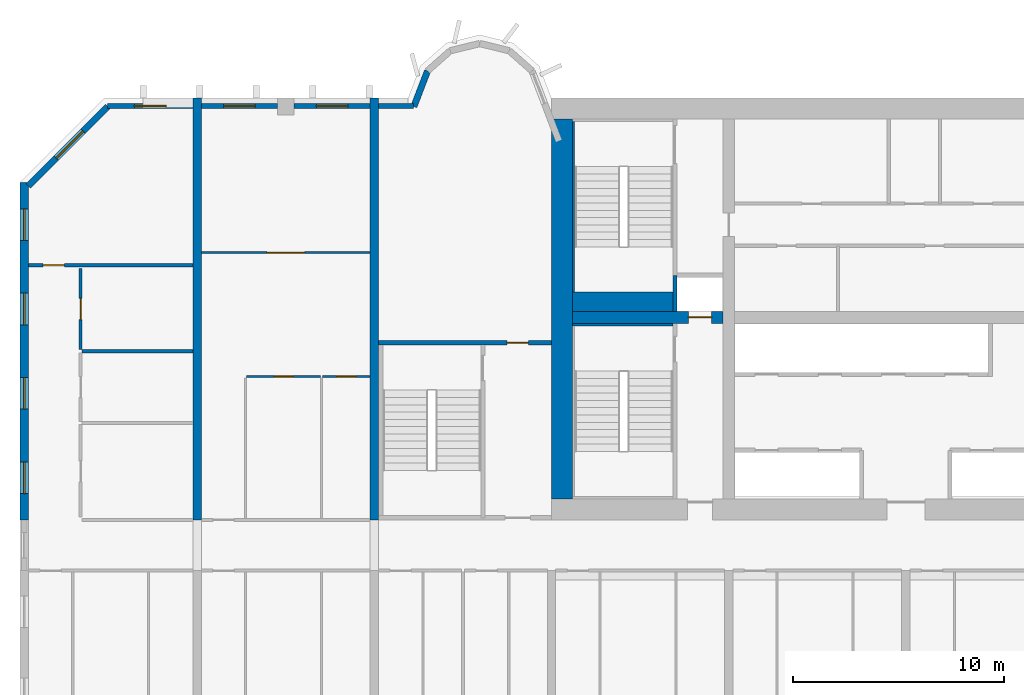
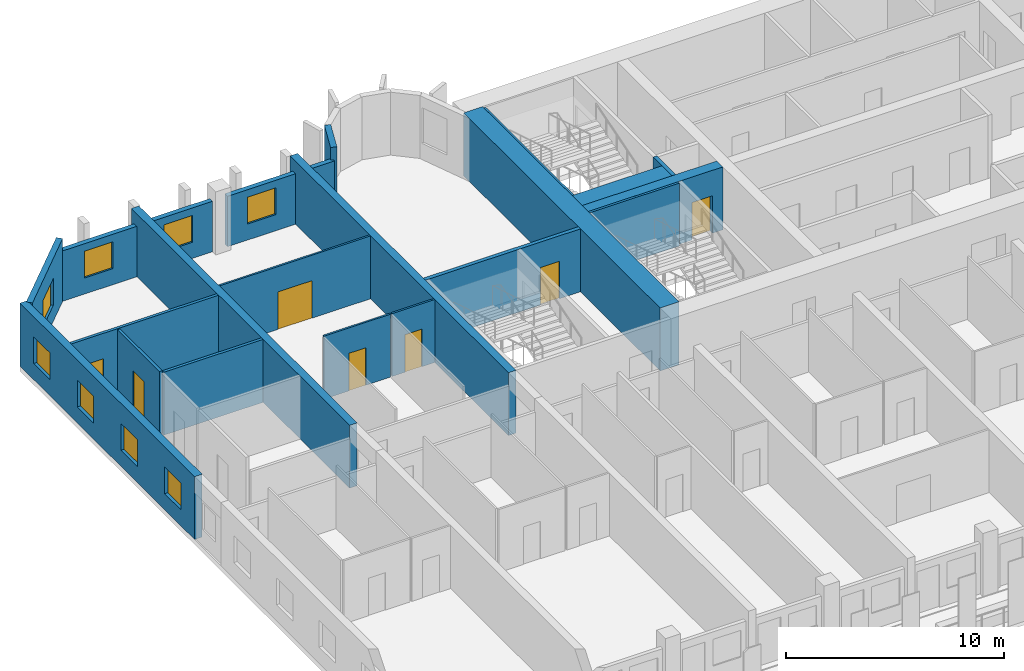
# One storey, part 6 of 15: 22 walls, 8 windows, 7 doors, 15 openings.
"""IFC4 building model written with IfcOpenShell, lengths in metres."""

from ifc_helpers import new_model, si_unit, direction, frame, frame_2d, origin, place, context, subcontext, project, spatial, rectangle, extrude, source, transform, mapped, material, layer, layer_set, type_object, element, fill, save


model = new_model("IFC4")

# Units and contexts
model_context = context("Model", 3, precision=1e-05, world=origin(), true_north=direction((0.0, 1.0)))
body_context = subcontext(model_context, "Body", "Model", "MODEL_VIEW")
ifc_project = project(units=[si_unit("LENGTHUNIT", "METRE"), si_unit("AREAUNIT", "SQUARE_METRE"), si_unit("VOLUMEUNIT", "CUBIC_METRE"), si_unit("PLANEANGLEUNIT", "RADIAN"), si_unit("MASSUNIT", "GRAM", prefix="KILO")], contexts=[model_context])

# Site, building, storey
site_placement = place(None, origin())
site = spatial("IfcSite", under=ifc_project, at=site_placement, CompositionType="ELEMENT")
building_placement = place(site_placement, origin())
building = spatial("IfcBuilding", under=site, at=building_placement, Name="Vanashikhar Sky Hotel", CompositionType="ELEMENT")
storey_placement = place(building_placement, frame((0.0, 0.0, 62.0)))
storey = spatial("IfcBuildingStorey", under=building, at=storey_placement, Name="L14", CompositionType="ELEMENT", Elevation=62.0)

# Wall
ifc_material_1 = material(Name="Concrete M80", Category="concrete")
ifc_layer_1 = layer(ifc_material_1, 1.0)
ifc_layer_set_1 = layer_set([ifc_layer_1], Name="RC core shell wall 1000 Concrete M80")
wall_type_1 = type_object("IfcWallType", Name="RC core shell wall 1000 Concrete M80", PredefinedType="SHEAR", material=ifc_layer_set_1)
shared_shape_1 = source(origin(), body_context, "Body", "SweptSolid", [
    extrude(rectangle(XDim=18.0, YDim=1.0, at=frame_2d((9.0, 0.0))), origin(), (0.0, 0.0, 1.0), 3.52001953125),
])
wall_1_placement = place(storey_placement, frame((25.699951171875, 23.0, 0.0), z_axis=(0.0, 0.0, 1.0), x_axis=(0.0, 1.0, 0.0)))
element("IfcWall", 1, at=wall_1_placement, inside=storey, type_object=wall_type_1, Name="KW-L14-KW", PredefinedType="SHEAR", context=body_context, shape_type="MappedRepresentation", body=[
    mapped(shared_shape_1, transform((0.0, 0.0, 0.0), scale=1.0)),
])

# Wall, opening, door
ifc_layer_2 = layer(ifc_material_1, 0.550048828125)
ifc_layer_set_2 = layer_set([ifc_layer_2], Name="RC core inner wall 550 Concrete M80")
wall_type_2 = type_object("IfcWallType", Name="RC core inner wall 550 Concrete M80", PredefinedType="SHEAR", material=ifc_layer_set_2)
shared_shape_2 = source(origin(), body_context, "Body", "SweptSolid", [
    extrude(rectangle(XDim=7.125, YDim=0.550048828125, at=frame_2d((3.5625, 0.0))), origin(), (0.0, 0.0, 1.0), 3.52001953125),
])
wall_2_placement = place(storey_placement, frame((26.199951171875, 31.60009765625, 0.0), z_axis=(0.0, 0.0, 1.0), x_axis=(1.0, 0.0, 0.0)))
wall_2 = element("IfcWall", 2, at=wall_2_placement, inside=storey, type_object=wall_type_2, Name="KW-L14-KY1", PredefinedType="SHEAR", context=body_context, shape_type="MappedRepresentation", body=[
    mapped(shared_shape_2, transform((0.0, 0.0, 0.0), scale=1.0)),
])
shared_shape_3 = source(origin(), body_context, "Body", "SweptSolid", [
    extrude(rectangle(XDim=1.10009765625, YDim=2.10009765625, at=frame_2d((0.550048828125, 1.050048828125))), frame((0.0, 0.28515625, 0.0), z_axis=(0.0, -1.0, 0.0), x_axis=(1.0, 0.0, 0.0)), (0.0, 0.0, 1.0), 0.570068359375),
])
opening_1_placement = place(wall_2_placement, frame((5.488037109375, 0.0, 0.0)))
opening_1 = element("IfcOpeningElement", 3, at=opening_1_placement, cuts=wall_2, Name="Opening LD", PredefinedType="OPENING", context=body_context, shape_type="MappedRepresentation", body=[
    mapped(shared_shape_3, transform((0.0, 0.0, 0.0), scale=1.0)),
])
ifc_material_2 = material(Name="Stainless steel", Category="steel")
door_type_1 = type_object("IfcDoorType", Name="Lift landing door 1100", OperationType="NOTDEFINED", PredefinedType="DOOR", material=ifc_material_2)
shared_shape_4 = source(origin(), body_context, "Body", "SweptSolid", [
    extrude(rectangle(XDim=1.10009765625, YDim=2.10009765625, at=frame_2d((0.550048828125, 1.050048828125))), frame((0.0, 0.02490234375, 0.0), z_axis=(0.0, -1.0, 0.0), x_axis=(1.0, 0.0, 0.0)), (0.0, 0.0, 1.0), 0.050048828125),
])
door_1_placement = place(opening_1_placement, origin())
door_1 = element("IfcDoor", 4, at=door_1_placement, inside=storey, type_object=door_type_1, Name="Lift landing door 1100", OperationType="SLIDING_TO_RIGHT", OverallHeight=2.10009765625, OverallWidth=1.10009765625, PredefinedType="DOOR", context=body_context, shape_type="MappedRepresentation", body=[
    mapped(shared_shape_4, transform((0.0, 0.0, 0.0), scale=1.0)),
])
fill(opening_1, door_1)

# Wall, openings, windows
ifc_layer_3 = layer(ifc_material_1, 0.39990234375)
ifc_layer_set_3 = layer_set([ifc_layer_3], Name="RC shear wall 400 Concrete M80")
wall_type_3 = type_object("IfcWallType", Name="RC shear wall 400 Concrete M80", PredefinedType="SHEAR", material=ifc_layer_set_3)
shared_shape_5 = source(origin(), body_context, "Body", "SweptSolid", [
    extrude(rectangle(XDim=16.0, YDim=0.39990234375, at=frame_2d((8.0, 0.0))), origin(), (0.0, 0.0, 1.0), 3.52001953125),
])
wall_3_placement = place(storey_placement, frame((0.199951171875, 22.0, 0.0), z_axis=(0.0, 0.0, 1.0), x_axis=(0.0, 1.0, 0.0)))
wall_3 = element("IfcWall", 5, at=wall_3_placement, inside=storey, type_object=wall_type_3, Name="CW-L14-XW01-2", PredefinedType="SHEAR", context=body_context, shape_type="MappedRepresentation", body=[
    mapped(shared_shape_5, transform((0.0, 0.0, 0.0), scale=1.0)),
])
shared_shape_6 = source(origin(), body_context, "Body", "SweptSolid", [
    extrude(rectangle(XDim=1.5, YDim=1.5, at=frame_2d((0.75, 0.75))), frame((0.0, 0.2099609375, 0.0), z_axis=(0.0, -1.0, 0.0), x_axis=(1.0, 0.0, 0.0)), (0.0, 0.0, 1.0), 0.419921875),
])
opening_2_placement = place(wall_3_placement, frame((1.25, 0.0, 0.89990234375)))
opening_2 = element("IfcOpeningElement", 6, at=opening_2_placement, cuts=wall_3, Name="Opening WN-1", PredefinedType="OPENING", context=body_context, shape_type="MappedRepresentation", body=[
    mapped(shared_shape_6, transform((0.0, 0.0, 0.0), scale=1.0)),
])
opening_3_placement = place(wall_3_placement, frame((5.25, 0.0, 0.89990234375)))
opening_3 = element("IfcOpeningElement", 7, at=opening_3_placement, cuts=wall_3, Name="Opening WN-1", PredefinedType="OPENING", context=body_context, shape_type="MappedRepresentation", body=[
    mapped(shared_shape_6, transform((0.0, 0.0, 0.0), scale=1.0)),
])
opening_4_placement = place(wall_3_placement, frame((9.25, 0.0, 0.89990234375)))
opening_4 = element("IfcOpeningElement", 8, at=opening_4_placement, cuts=wall_3, Name="Opening WN-1", PredefinedType="OPENING", context=body_context, shape_type="MappedRepresentation", body=[
    mapped(shared_shape_6, transform((0.0, 0.0, 0.0), scale=1.0)),
])
opening_5_placement = place(wall_3_placement, frame((13.25, 0.0, 0.89990234375)))
opening_5 = element("IfcOpeningElement", 9, at=opening_5_placement, cuts=wall_3, Name="Opening WN-1", PredefinedType="OPENING", context=body_context, shape_type="MappedRepresentation", body=[
    mapped(shared_shape_6, transform((0.0, 0.0, 0.0), scale=1.0)),
])
ifc_material_3 = material(Name="Glass", Category="glass")
window_type_1 = type_object("IfcWindowType", Name="Window 1500 x 1500", PartitioningType="SINGLE_PANEL", PredefinedType="WINDOW", material=ifc_material_3)
shared_shape_7 = source(origin(), body_context, "Body", "SweptSolid", [
    extrude(rectangle(XDim=1.5, YDim=1.5, at=frame_2d((0.75, 0.75))), frame((0.0, 0.030029296875, 0.0), z_axis=(0.0, -1.0, 0.0), x_axis=(1.0, 0.0, 0.0)), (0.0, 0.0, 1.0), 0.06005859375),
])
window_1_placement = place(opening_2_placement, origin())
window_1 = element("IfcWindow", 10, at=window_1_placement, inside=storey, type_object=window_type_1, Name="Window WN-1", OverallHeight=1.5, OverallWidth=1.5, PartitioningType="SINGLE_PANEL", PredefinedType="WINDOW", context=body_context, shape_type="MappedRepresentation", body=[
    mapped(shared_shape_7, transform((0.0, 0.0, 0.0), scale=1.0)),
])
fill(opening_2, window_1)
window_2_placement = place(opening_3_placement, origin())
window_2 = element("IfcWindow", 11, at=window_2_placement, inside=storey, type_object=window_type_1, Name="Window WN-1", OverallHeight=1.5, OverallWidth=1.5, PartitioningType="SINGLE_PANEL", PredefinedType="WINDOW", context=body_context, shape_type="MappedRepresentation", body=[
    mapped(shared_shape_7, transform((0.0, 0.0, 0.0), scale=1.0)),
])
fill(opening_3, window_2)
window_3_placement = place(opening_4_placement, origin())
window_3 = element("IfcWindow", 12, at=window_3_placement, inside=storey, type_object=window_type_1, Name="Window WN-1", OverallHeight=1.5, OverallWidth=1.5, PartitioningType="SINGLE_PANEL", PredefinedType="WINDOW", context=body_context, shape_type="MappedRepresentation", body=[
    mapped(shared_shape_7, transform((0.0, 0.0, 0.0), scale=1.0)),
])
fill(opening_4, window_3)
window_4_placement = place(opening_5_placement, origin())
window_4 = element("IfcWindow", 13, at=window_4_placement, inside=storey, type_object=window_type_1, Name="Window WN-1", OverallHeight=1.5, OverallWidth=1.5, PartitioningType="SINGLE_PANEL", PredefinedType="WINDOW", context=body_context, shape_type="MappedRepresentation", body=[
    mapped(shared_shape_7, transform((0.0, 0.0, 0.0), scale=1.0)),
])
fill(opening_5, window_4)

# Walls
shared_shape_8 = source(origin(), body_context, "Body", "SweptSolid", [
    extrude(rectangle(XDim=20.0, YDim=0.39990234375, at=frame_2d((10.0, 0.0))), origin(), (0.0, 0.0, 1.0), 3.52001953125),
])
for number, where, z_axis, x_axis, name in (
    (14, (8.39990234375, 22.0, 0.0), (0.0, 0.0, 1.0), (0.0, 1.0, 0.0), "CW-L14-XW02-2"),
    (15, (16.800048828125, 22.0, 0.0), (0.0, 0.0, 1.0), (0.0, 1.0, 0.0), "CW-L14-XW03-2"),
):
    element("IfcWall", number, at=place(storey_placement, frame(where, z_axis=z_axis, x_axis=x_axis)), inside=storey, type_object=wall_type_3, Name=name, PredefinedType="SHEAR", context=body_context, shape_type="MappedRepresentation", body=[
        mapped(shared_shape_8, transform((0.0, 0.0, 0.0), scale=1.0)),
    ])

# Wall, opening, window
ifc_material_4 = material(Name="Concrete M50", Category="concrete")
ifc_layer_4 = layer(ifc_material_4, 0.300048828125)
ifc_layer_set_4 = layer_set([ifc_layer_4], Name="Lobe wall 300")
wall_type_4 = type_object("IfcWallType", Name="Lobe wall 300", PredefinedType="SOLIDWALL", material=ifc_layer_set_4)
shared_shape_9 = source(origin(), body_context, "Body", "SweptSolid", [
    extrude(rectangle(XDim=5.32568359375, YDim=0.300048828125, at=frame_2d((2.662841796875, 0.0))), origin(), (0.0, 0.0, 1.0), 3.52001953125),
])
wall_4_placement = place(storey_placement, frame((4.165771484375, 41.60009765625, 0.0), z_axis=(0.0, 0.0, 1.0), x_axis=(-0.707106781187, -0.707106781187, 0.0)))
wall_4 = element("IfcWall", 16, at=wall_4_placement, inside=storey, type_object=wall_type_4, Name="Corner wall", PredefinedType="SOLIDWALL", context=body_context, shape_type="MappedRepresentation", body=[
    mapped(shared_shape_9, transform((0.0, 0.0, 0.0), scale=1.0)),
])
shared_shape_10 = source(origin(), body_context, "Body", "SweptSolid", [
    extrude(rectangle(XDim=1.800048828125, YDim=1.5, at=frame_2d((0.89990234375, 0.75))), frame((0.0, 0.16015625, 0.0), z_axis=(0.0, -1.0, 0.0), x_axis=(1.0, 0.0, 0.0)), (0.0, 0.0, 1.0), 0.320068359375),
])
opening_6_placement = place(wall_4_placement, frame((1.654296875, 0.0, 0.89990234375)))
opening_6 = element("IfcOpeningElement", 17, at=opening_6_placement, cuts=wall_4, Name="Opening WN-4", PredefinedType="OPENING", context=body_context, shape_type="MappedRepresentation", body=[
    mapped(shared_shape_10, transform((0.0, 0.0, 0.0), scale=1.0)),
])
window_type_2 = type_object("IfcWindowType", Name="Corner window 1800 x 1500", PartitioningType="SINGLE_PANEL", PredefinedType="WINDOW", material=ifc_material_3)
shared_shape_11 = source(origin(), body_context, "Body", "SweptSolid", [
    extrude(rectangle(XDim=1.800048828125, YDim=1.5, at=frame_2d((0.89990234375, 0.75))), frame((0.0, 0.030029296875, 0.0), z_axis=(0.0, -1.0, 0.0), x_axis=(1.0, 0.0, 0.0)), (0.0, 0.0, 1.0), 0.06005859375),
])
window_5_placement = place(opening_6_placement, origin())
window_5 = element("IfcWindow", 18, at=window_5_placement, inside=storey, type_object=window_type_2, Name="Window WN-4", OverallHeight=1.5, OverallWidth=1.800048828125, PartitioningType="SINGLE_PANEL", PredefinedType="WINDOW", context=body_context, shape_type="MappedRepresentation", body=[
    mapped(shared_shape_11, transform((0.0, 0.0, 0.0), scale=1.0)),
])
fill(opening_6, window_5)

# Walls
shared_shape_12 = source(origin(), body_context, "Body", "SweptSolid", [
    extrude(rectangle(XDim=1.81201171875, YDim=0.300048828125, at=frame_2d((0.906005859375, 0.0))), origin(), (0.0, 0.0, 1.0), 3.52001953125),
])
wall_5_placement = place(storey_placement, frame((19.323486328125, 43.2919921875, 0.0), z_axis=(0.0, 0.0, 1.0), x_axis=(-0.357877270961, -0.93376863244, 0.0)))
element("IfcWall", 19, at=wall_5_placement, inside=storey, type_object=wall_type_4, Name="Lobe wall", PredefinedType="SOLIDWALL", context=body_context, shape_type="MappedRepresentation", body=[
    mapped(shared_shape_12, transform((0.0, 0.0, 0.0), scale=1.0)),
])
ifc_layer_5 = layer(ifc_material_4, 0.25)
ifc_layer_set_5 = layer_set([ifc_layer_5], Name="Rear and end board-marked wall 250")
wall_type_5 = type_object("IfcWallType", Name="Rear and end board-marked wall 250", PredefinedType="SOLIDWALL", material=ifc_layer_set_5)
shared_shape_13 = source(origin(), body_context, "Body", "SweptSolid", [
    extrude(rectangle(XDim=1.657958984375, YDim=0.25, at=frame_2d((0.8291015625, 0.0))), origin(), (0.0, 0.0, 1.0), 2.820068359375),
])
wall_6_placement = place(storey_placement, frame((18.657958984375, 41.625, 0.0), z_axis=(0.0, 0.0, 1.0), x_axis=(-1.0, 0.0, 0.0)))
element("IfcWall", 20, at=wall_6_placement, inside=storey, type_object=wall_type_5, Name="Rear board-marked wall", PredefinedType="SOLIDWALL", context=body_context, shape_type="MappedRepresentation", body=[
    mapped(shared_shape_13, transform((0.0, 0.0, 0.0), scale=1.0)),
])

# Wall, opening, window
shared_shape_14 = source(origin(), body_context, "Body", "SweptSolid", [
    extrude(rectangle(XDim=3.60009765625, YDim=0.25, at=frame_2d((1.800048828125, 0.0))), origin(), (0.0, 0.0, 1.0), 2.820068359375),
])
wall_7_placement = place(storey_placement, frame((16.60009765625, 41.625, 0.0), z_axis=(0.0, 0.0, 1.0), x_axis=(-1.0, 0.0, 0.0)))
wall_7 = element("IfcWall", 21, at=wall_7_placement, inside=storey, type_object=wall_type_5, Name="Rear board-marked wall", PredefinedType="SOLIDWALL", context=body_context, shape_type="MappedRepresentation", body=[
    mapped(shared_shape_14, transform((0.0, 0.0, 0.0), scale=1.0)),
])
shared_shape_15 = source(origin(), body_context, "Body", "SweptSolid", [
    extrude(rectangle(XDim=1.5, YDim=1.5, at=frame_2d((0.75, 0.75))), frame((0.0, 0.135009765625, 0.0), z_axis=(0.0, -1.0, 0.0), x_axis=(1.0, 0.0, 0.0)), (0.0, 0.0, 1.0), 0.27001953125),
])
opening_7_placement = place(wall_7_placement, frame((1.050048828125, 0.0, 0.89990234375)))
opening_7 = element("IfcOpeningElement", 22, at=opening_7_placement, cuts=wall_7, Name="Opening WN-1", PredefinedType="OPENING", context=body_context, shape_type="MappedRepresentation", body=[
    mapped(shared_shape_15, transform((0.0, 0.0, 0.0), scale=1.0)),
])
window_6_placement = place(opening_7_placement, origin())
window_6 = element("IfcWindow", 23, at=window_6_placement, inside=storey, type_object=window_type_1, Name="Window WN-1", OverallHeight=1.5, OverallWidth=1.5, PartitioningType="SINGLE_PANEL", PredefinedType="WINDOW", context=body_context, shape_type="MappedRepresentation", body=[
    mapped(shared_shape_7, transform((0.0, 0.0, 0.0), scale=1.0)),
])
fill(opening_7, window_6)

shared_shape_16 = source(origin(), body_context, "Body", "SweptSolid", [
    extrude(rectangle(XDim=3.599853515625, YDim=0.25, at=frame_2d((1.7998046875, 0.0))), origin(), (0.0, 0.0, 1.0), 2.820068359375),
])
wall_8_placement = place(storey_placement, frame((12.199951171875, 41.625, 0.0), z_axis=(0.0, 0.0, 1.0), x_axis=(-1.0, 0.0, 0.0)))
wall_8 = element("IfcWall", 24, at=wall_8_placement, inside=storey, type_object=wall_type_5, Name="Rear board-marked wall", PredefinedType="SOLIDWALL", context=body_context, shape_type="MappedRepresentation", body=[
    mapped(shared_shape_16, transform((0.0, 0.0, 0.0), scale=1.0)),
])
opening_8_placement = place(wall_8_placement, frame((1.050048828125, 0.0, 0.89990234375)))
opening_8 = element("IfcOpeningElement", 25, at=opening_8_placement, cuts=wall_8, Name="Opening WN-1", PredefinedType="OPENING", context=body_context, shape_type="MappedRepresentation", body=[
    mapped(shared_shape_15, transform((0.0, 0.0, 0.0), scale=1.0)),
])
window_7_placement = place(opening_8_placement, origin())
window_7 = element("IfcWindow", 26, at=window_7_placement, inside=storey, type_object=window_type_1, Name="Window WN-1", OverallHeight=1.5, OverallWidth=1.5, PartitioningType="SINGLE_PANEL", PredefinedType="WINDOW", context=body_context, shape_type="MappedRepresentation", body=[
    mapped(shared_shape_7, transform((0.0, 0.0, 0.0), scale=1.0)),
])
fill(opening_8, window_7)

shared_shape_17 = source(origin(), body_context, "Body", "SweptSolid", [
    extrude(rectangle(XDim=4.044677734375, YDim=0.25, at=frame_2d((2.0224609375, 0.0))), origin(), (0.0, 0.0, 1.0), 2.820068359375),
])
wall_9_placement = place(storey_placement, frame((8.199951171875, 41.625, 0.0), z_axis=(0.0, 0.0, 1.0), x_axis=(-1.0, 0.0, 0.0)))
wall_9 = element("IfcWall", 27, at=wall_9_placement, inside=storey, type_object=wall_type_5, Name="Rear board-marked wall", PredefinedType="SOLIDWALL", context=body_context, shape_type="MappedRepresentation", body=[
    mapped(shared_shape_17, transform((0.0, 0.0, 0.0), scale=1.0)),
])
opening_9_placement = place(wall_9_placement, frame((1.2724609375, 0.0, 0.89990234375)))
opening_9 = element("IfcOpeningElement", 28, at=opening_9_placement, cuts=wall_9, Name="Opening WN-1", PredefinedType="OPENING", context=body_context, shape_type="MappedRepresentation", body=[
    mapped(shared_shape_15, transform((0.0, 0.0, 0.0), scale=1.0)),
])
window_8_placement = place(opening_9_placement, origin())
window_8 = element("IfcWindow", 29, at=window_8_placement, inside=storey, type_object=window_type_1, Name="Window WN-1", OverallHeight=1.5, OverallWidth=1.5, PartitioningType="SINGLE_PANEL", PredefinedType="WINDOW", context=body_context, shape_type="MappedRepresentation", body=[
    mapped(shared_shape_7, transform((0.0, 0.0, 0.0), scale=1.0)),
])
fill(opening_9, window_8)

# Wall, opening, door
ifc_layer_6 = layer(ifc_material_4, 0.199951171875)
ifc_layer_set_6 = layer_set([ifc_layer_6], Name="Stair wall 200")
wall_type_6 = type_object("IfcWallType", Name="Stair wall 200", PredefinedType="SOLIDWALL", material=ifc_layer_set_6)
shared_shape_18 = source(origin(), body_context, "Body", "SweptSolid", [
    extrude(rectangle(XDim=8.199951171875, YDim=0.199951171875, at=frame_2d((4.10009765625, 0.0))), origin(), (0.0, 0.0, 1.0), 3.52001953125),
])
wall_10_placement = place(storey_placement, frame((17.0, 30.39990234375, 0.0), z_axis=(0.0, 0.0, 1.0), x_axis=(1.0, 0.0, 0.0)))
wall_10 = element("IfcWall", 30, at=wall_10_placement, inside=storey, type_object=wall_type_6, Name="Stair wall 200", PredefinedType="SOLIDWALL", context=body_context, shape_type="MappedRepresentation", body=[
    mapped(shared_shape_18, transform((0.0, 0.0, 0.0), scale=1.0)),
])
shared_shape_19 = source(origin(), body_context, "Body", "SweptSolid", [
    extrude(rectangle(XDim=1.0, YDim=2.10009765625, at=frame_2d((0.5, 1.050048828125))), frame((0.0, 0.10986328125, 0.0), z_axis=(0.0, -1.0, 0.0), x_axis=(1.0, 0.0, 0.0)), (0.0, 0.0, 1.0), 0.219970703125),
])
opening_10_placement = place(wall_10_placement, frame((6.10009765625, 0.0, 0.0)))
opening_10 = element("IfcOpeningElement", 31, at=opening_10_placement, cuts=wall_10, Name="Opening DC-6", PredefinedType="OPENING", context=body_context, shape_type="MappedRepresentation", body=[
    mapped(shared_shape_19, transform((0.0, 0.0, 0.0), scale=1.0)),
])
ifc_material_5 = material(Name="Steel", Category="steel")
door_type_2 = type_object("IfcDoorType", Name="Pocket door 1000 FD60", OperationType="NOTDEFINED", PredefinedType="DOOR", material=ifc_material_5)
shared_shape_20 = source(origin(), body_context, "Body", "SweptSolid", [
    extrude(rectangle(XDim=1.0, YDim=2.10009765625, at=frame_2d((0.5, 1.050048828125))), frame((0.0, 0.02490234375, 0.0), z_axis=(0.0, -1.0, 0.0), x_axis=(1.0, 0.0, 0.0)), (0.0, 0.0, 1.0), 0.050048828125),
])
door_2_placement = place(opening_10_placement, origin())
door_2 = element("IfcDoor", 32, at=door_2_placement, inside=storey, type_object=door_type_2, Name="Pocket door 1000 FD60", OperationType="SINGLE_SWING_LEFT", OverallHeight=2.10009765625, OverallWidth=1.0, PredefinedType="DOOR", context=body_context, shape_type="MappedRepresentation", body=[
    mapped(shared_shape_20, transform((0.0, 0.0, 0.0), scale=1.0)),
])
fill(opening_10, door_2)

# Walls
ifc_layer_7 = layer(ifc_material_4, 0.10009765625)
ifc_layer_set_7 = layer_set([ifc_layer_7], Name="Stair infill wall 100")
wall_type_7 = type_object("IfcWallType", Name="Stair infill wall 100", PredefinedType="SOLIDWALL", material=ifc_layer_set_7)
shared_shape_21 = source(origin(), body_context, "Body", "SweptSolid", [
    extrude(rectangle(XDim=8.099853515625, YDim=0.10009765625, at=frame_2d((4.0498046875, 0.0))), origin(), (0.0, 0.0, 1.0), 3.52001953125),
])
wall_11_placement = place(storey_placement, frame((26.25, 32.800048828125, 0.0), z_axis=(0.0, 0.0, 1.0), x_axis=(0.0, 1.0, 0.0)))
element("IfcWall", 33, at=wall_11_placement, inside=storey, type_object=wall_type_7, Name="Stair infill wall 100", PredefinedType="SOLIDWALL", context=body_context, shape_type="MappedRepresentation", body=[
    mapped(shared_shape_21, transform((0.0, 0.0, 0.0), scale=1.0)),
])
ifc_material_6 = material(Name="Concrete M40", Category="concrete")
ifc_layer_8 = layer(ifc_material_6, 0.199951171875)
ifc_layer_set_8 = layer_set([ifc_layer_8], Name="Shaft wall 200")
wall_type_8 = type_object("IfcWallType", Name="Shaft wall 200", PredefinedType="SOLIDWALL", material=ifc_layer_set_8)
shared_shape_22 = source(origin(), body_context, "Body", "SweptSolid", [
    extrude(rectangle(XDim=1.72509765625, YDim=0.199951171875, at=frame_2d((0.862548828125, 0.0))), origin(), (0.0, 0.0, 1.0), 3.52001953125),
])
wall_12_placement = place(storey_placement, frame((31.050048828125, 31.875, 0.0), z_axis=(0.0, 0.0, 1.0), x_axis=(0.0, 1.0, 0.0)))
element("IfcWall", 34, at=wall_12_placement, inside=storey, type_object=wall_type_8, Name="Shaft wall 200", PredefinedType="SOLIDWALL", context=body_context, shape_type="MappedRepresentation", body=[
    mapped(shared_shape_22, transform((0.0, 0.0, 0.0), scale=1.0)),
])
ifc_layer_9 = layer(ifc_material_4, 0.125)
ifc_layer_set_9 = layer_set([ifc_layer_9], Name="Stair infill wall 125")
wall_type_9 = type_object("IfcWallType", Name="Stair infill wall 125", PredefinedType="SOLIDWALL", material=ifc_layer_set_9)
shared_shape_23 = source(origin(), body_context, "Body", "SweptSolid", [
    extrude(rectangle(XDim=4.75, YDim=0.125, at=frame_2d((2.375, 0.0))), origin(), (0.0, 0.0, 1.0), 3.52001953125),
])
wall_13_placement = place(storey_placement, frame((26.199951171875, 31.261962890625, 0.0), z_axis=(0.0, 0.0, 1.0), x_axis=(1.0, 0.0, 0.0)))
element("IfcWall", 35, at=wall_13_placement, inside=storey, type_object=wall_type_9, Name="Stair infill wall 125", PredefinedType="SOLIDWALL", context=body_context, shape_type="MappedRepresentation", body=[
    mapped(shared_shape_23, transform((0.0, 0.0, 0.0), scale=1.0)),
])
ifc_layer_10 = layer(ifc_material_4, 0.925048828125)
ifc_layer_set_10 = layer_set([ifc_layer_10], Name="Stair infill wall 925")
wall_type_10 = type_object("IfcWallType", Name="Stair infill wall 925", PredefinedType="SOLIDWALL", material=ifc_layer_set_10)
shared_shape_24 = source(origin(), body_context, "Body", "SweptSolid", [
    extrude(rectangle(XDim=4.75, YDim=0.925048828125, at=frame_2d((2.375, 0.0))), origin(), (0.0, 0.0, 1.0), 3.52001953125),
])
wall_14_placement = place(storey_placement, frame((26.199951171875, 32.3369140625, 0.0), z_axis=(0.0, 0.0, 1.0), x_axis=(1.0, 0.0, 0.0)))
element("IfcWall", 36, at=wall_14_placement, inside=storey, type_object=wall_type_10, Name="Stair infill wall 925", PredefinedType="SOLIDWALL", context=body_context, shape_type="MappedRepresentation", body=[
    mapped(shared_shape_24, transform((0.0, 0.0, 0.0), scale=1.0)),
])

# Wall, opening, door
ifc_material_7 = material(Name="Gypsum plasterboard partition")
ifc_layer_11 = layer(ifc_material_7, 0.14990234375)
ifc_layer_set_11 = layer_set([ifc_layer_11], Name="Corridor and demising partition 150")
wall_type_11 = type_object("IfcWallType", Name="Corridor and demising partition 150", PredefinedType="PARTITIONING", material=ifc_layer_set_11)
shared_shape_25 = source(origin(), body_context, "Body", "SweptSolid", [
    extrude(rectangle(XDim=3.85009765625, YDim=0.14990234375, at=frame_2d((1.925048828125, 0.0))), origin(), (0.0, 0.0, 1.0), 3.52001953125),
])
wall_15_placement = place(storey_placement, frame((2.875, 30.074951171875, 0.0), z_axis=(0.0, 0.0, 1.0), x_axis=(0.0, 1.0, 0.0)))
wall_15 = element("IfcWall", 37, at=wall_15_placement, inside=storey, type_object=wall_type_11, Name="W-L14-PW075", PredefinedType="PARTITIONING", context=body_context, shape_type="MappedRepresentation", body=[
    mapped(shared_shape_25, transform((0.0, 0.0, 0.0), scale=1.0)),
])
shared_shape_26 = source(origin(), body_context, "Body", "SweptSolid", [
    extrude(rectangle(XDim=1.0, YDim=2.10009765625, at=frame_2d((0.5, 1.050048828125))), frame((0.0, 0.0849609375, 0.0), z_axis=(0.0, -1.0, 0.0), x_axis=(1.0, 0.0, 0.0)), (0.0, 0.0, 1.0), 0.169921875),
])
opening_11_placement = place(wall_15_placement, frame((1.425048828125, 0.0, 0.0)))
opening_11 = element("IfcOpeningElement", 38, at=opening_11_placement, cuts=wall_15, Name="Opening D-01", PredefinedType="OPENING", context=body_context, shape_type="MappedRepresentation", body=[
    mapped(shared_shape_26, transform((0.0, 0.0, 0.0), scale=1.0)),
])
ifc_material_8 = material(Name="Timber fire door", Category="wood")
door_type_3 = type_object("IfcDoorType", Name="Guest entry door 1000 FD30S", OperationType="NOTDEFINED", PredefinedType="DOOR", material=ifc_material_8)
door_3_placement = place(opening_11_placement, origin())
door_3 = element("IfcDoor", 39, at=door_3_placement, inside=storey, type_object=door_type_3, Name="D-L14-045", OperationType="SINGLE_SWING_LEFT", OverallHeight=2.10009765625, OverallWidth=1.0, PredefinedType="DOOR", context=body_context, shape_type="MappedRepresentation", body=[
    mapped(shared_shape_20, transform((0.0, 0.0, 0.0), scale=1.0)),
])
fill(opening_11, door_3)

ifc_layer_12 = layer(ifc_material_7, 0.10009765625)
ifc_layer_set_12 = layer_set([ifc_layer_12], Name="Wet room partition 100")
wall_type_12 = type_object("IfcWallType", Name="Wet room partition 100", PredefinedType="PARTITIONING", material=ifc_layer_set_12)
shared_shape_27 = source(origin(), body_context, "Body", "SweptSolid", [
    extrude(rectangle(XDim=3.5, YDim=0.10009765625, at=frame_2d((1.75, 0.0))), origin(), (0.0, 0.0, 1.0), 3.52001953125),
])
wall_16_placement = place(storey_placement, frame((10.75, 28.800048828125, 0.0), z_axis=(0.0, 0.0, 1.0), x_axis=(1.0, 0.0, 0.0)))
wall_16 = element("IfcWall", 40, at=wall_16_placement, inside=storey, type_object=wall_type_12, Name="W-L14-PW079", PredefinedType="PARTITIONING", context=body_context, shape_type="MappedRepresentation", body=[
    mapped(shared_shape_27, transform((0.0, 0.0, 0.0), scale=1.0)),
])
shared_shape_28 = source(origin(), body_context, "Body", "SweptSolid", [
    extrude(rectangle(XDim=0.89990234375, YDim=2.10009765625, at=frame_2d((0.449951171875, 1.050048828125))), frame((0.0, 0.06005859375, 0.0), z_axis=(0.0, -1.0, 0.0), x_axis=(1.0, 0.0, 0.0)), (0.0, 0.0, 1.0), 0.1201171875),
])
opening_12_placement = place(wall_16_placement, frame((1.300048828125, 0.0, 0.0)))
opening_12 = element("IfcOpeningElement", 41, at=opening_12_placement, cuts=wall_16, Name="Opening D-02", PredefinedType="OPENING", context=body_context, shape_type="MappedRepresentation", body=[
    mapped(shared_shape_28, transform((0.0, 0.0, 0.0), scale=1.0)),
])
ifc_material_9 = material(Name="Timber door", Category="wood")
door_type_4 = type_object("IfcDoorType", Name="Internal door 900", OperationType="NOTDEFINED", PredefinedType="DOOR", material=ifc_material_9)
shared_shape_29 = source(origin(), body_context, "Body", "SweptSolid", [
    extrude(rectangle(XDim=0.89990234375, YDim=2.10009765625, at=frame_2d((0.449951171875, 1.050048828125))), frame((0.0, 0.02490234375, 0.0), z_axis=(0.0, -1.0, 0.0), x_axis=(1.0, 0.0, 0.0)), (0.0, 0.0, 1.0), 0.050048828125),
])
door_4_placement = place(opening_12_placement, origin())
door_4 = element("IfcDoor", 42, at=door_4_placement, inside=storey, type_object=door_type_4, Name="D-L14-047", OperationType="SINGLE_SWING_LEFT", OverallHeight=2.10009765625, OverallWidth=0.89990234375, PredefinedType="DOOR", context=body_context, shape_type="MappedRepresentation", body=[
    mapped(shared_shape_29, transform((0.0, 0.0, 0.0), scale=1.0)),
])
fill(opening_12, door_4)

shared_shape_30 = source(origin(), body_context, "Body", "SweptSolid", [
    extrude(rectangle(XDim=8.0, YDim=0.10009765625, at=frame_2d((4.0, 0.0))), origin(), (0.0, 0.0, 1.0), 3.52001953125),
])
wall_17_placement = place(storey_placement, frame((8.60009765625, 34.672119140625, 0.0), z_axis=(0.0, 0.0, 1.0), x_axis=(1.0, 0.0, 0.0)))
wall_17 = element("IfcWall", 43, at=wall_17_placement, inside=storey, type_object=wall_type_12, Name="W-L14-PW081", PredefinedType="PARTITIONING", context=body_context, shape_type="MappedRepresentation", body=[
    mapped(shared_shape_30, transform((0.0, 0.0, 0.0), scale=1.0)),
])
shared_shape_31 = source(origin(), body_context, "Body", "SweptSolid", [
    extrude(rectangle(XDim=1.800048828125, YDim=2.10009765625, at=frame_2d((0.89990234375, 1.050048828125))), frame((0.0, 0.06005859375, 0.0), z_axis=(0.0, -1.0, 0.0), x_axis=(1.0, 0.0, 0.0)), (0.0, 0.0, 1.0), 0.1201171875),
])
opening_13_placement = place(wall_17_placement, frame((3.10009765625, 0.0, 0.0)))
opening_13 = element("IfcOpeningElement", 44, at=opening_13_placement, cuts=wall_17, Name="Opening D-08", PredefinedType="OPENING", context=body_context, shape_type="MappedRepresentation", body=[
    mapped(shared_shape_31, transform((0.0, 0.0, 0.0), scale=1.0)),
])
door_type_5 = type_object("IfcDoorType", Name="Double leaf door 1800", OperationType="NOTDEFINED", PredefinedType="DOOR", material=ifc_material_9)
shared_shape_32 = source(origin(), body_context, "Body", "SweptSolid", [
    extrude(rectangle(XDim=1.800048828125, YDim=2.10009765625, at=frame_2d((0.89990234375, 1.050048828125))), frame((0.0, 0.02490234375, 0.0), z_axis=(0.0, -1.0, 0.0), x_axis=(1.0, 0.0, 0.0)), (0.0, 0.0, 1.0), 0.050048828125),
])
door_5_placement = place(opening_13_placement, origin())
door_5 = element("IfcDoor", 45, at=door_5_placement, inside=storey, type_object=door_type_5, Name="D-L14-049", OperationType="DOUBLE_DOOR_SINGLE_SWING", OverallHeight=2.10009765625, OverallWidth=1.800048828125, PredefinedType="DOOR", context=body_context, shape_type="MappedRepresentation", body=[
    mapped(shared_shape_32, transform((0.0, 0.0, 0.0), scale=1.0)),
])
fill(opening_13, door_5)

# Wall
shared_shape_33 = source(origin(), body_context, "Body", "SweptSolid", [
    extrude(rectangle(XDim=5.25, YDim=0.14990234375, at=frame_2d((2.625, 0.0))), origin(), (0.0, 0.0, 1.0), 3.52001953125),
])
wall_18_placement = place(storey_placement, frame((2.949951171875, 30.0, 0.0), z_axis=(0.0, 0.0, 1.0), x_axis=(1.0, 0.0, 0.0)))
element("IfcWall", 46, at=wall_18_placement, inside=storey, type_object=wall_type_11, Name="W-L14-PW074", PredefinedType="PARTITIONING", context=body_context, shape_type="MappedRepresentation", body=[
    mapped(shared_shape_33, transform((0.0, 0.0, 0.0), scale=1.0)),
])

# Wall, opening, door
shared_shape_34 = source(origin(), body_context, "Body", "SweptSolid", [
    extrude(rectangle(XDim=7.800048828125, YDim=0.14990234375, at=frame_2d((3.89990234375, 0.0))), origin(), (0.0, 0.0, 1.0), 3.52001953125),
])
wall_19_placement = place(storey_placement, frame((0.39990234375, 34.074951171875, 0.0), z_axis=(0.0, 0.0, 1.0), x_axis=(1.0, 0.0, 0.0)))
wall_19 = element("IfcWall", 47, at=wall_19_placement, inside=storey, type_object=wall_type_11, Name="W-L14-PW076", PredefinedType="PARTITIONING", context=body_context, shape_type="MappedRepresentation", body=[
    mapped(shared_shape_34, transform((0.0, 0.0, 0.0), scale=1.0)),
])
opening_14_placement = place(wall_19_placement, frame((0.699951171875, 0.0, 0.0)))
opening_14 = element("IfcOpeningElement", 48, at=opening_14_placement, cuts=wall_19, Name="Opening D-01", PredefinedType="OPENING", context=body_context, shape_type="MappedRepresentation", body=[
    mapped(shared_shape_26, transform((0.0, 0.0, 0.0), scale=1.0)),
])
door_6_placement = place(opening_14_placement, origin())
door_6 = element("IfcDoor", 49, at=door_6_placement, inside=storey, type_object=door_type_3, Name="D-L14-046", OperationType="SINGLE_SWING_LEFT", OverallHeight=2.10009765625, OverallWidth=1.0, PredefinedType="DOOR", context=body_context, shape_type="MappedRepresentation", body=[
    mapped(shared_shape_20, transform((0.0, 0.0, 0.0), scale=1.0)),
])
fill(opening_14, door_6)

shared_shape_35 = source(origin(), body_context, "Body", "SweptSolid", [
    extrude(rectangle(XDim=2.25, YDim=0.10009765625, at=frame_2d((1.125, 0.0))), origin(), (0.0, 0.0, 1.0), 3.52001953125),
])
wall_20_placement = place(storey_placement, frame((14.35009765625, 28.800048828125, 0.0), z_axis=(0.0, 0.0, 1.0), x_axis=(1.0, 0.0, 0.0)))
wall_20 = element("IfcWall", 50, at=wall_20_placement, inside=storey, type_object=wall_type_12, Name="W-L14-PW080", PredefinedType="PARTITIONING", context=body_context, shape_type="MappedRepresentation", body=[
    mapped(shared_shape_35, transform((0.0, 0.0, 0.0), scale=1.0)),
])
opening_15_placement = place(wall_20_placement, frame((0.675048828125, 0.0, 0.0)))
opening_15 = element("IfcOpeningElement", 51, at=opening_15_placement, cuts=wall_20, Name="Opening D-02", PredefinedType="OPENING", context=body_context, shape_type="MappedRepresentation", body=[
    mapped(shared_shape_28, transform((0.0, 0.0, 0.0), scale=1.0)),
])
door_7_placement = place(opening_15_placement, origin())
door_7 = element("IfcDoor", 52, at=door_7_placement, inside=storey, type_object=door_type_4, Name="D-L14-048", OperationType="SINGLE_SWING_LEFT", OverallHeight=2.10009765625, OverallWidth=0.89990234375, PredefinedType="DOOR", context=body_context, shape_type="MappedRepresentation", body=[
    mapped(shared_shape_29, transform((0.0, 0.0, 0.0), scale=1.0)),
])
fill(opening_15, door_7)

save(model, "model.ifc")
